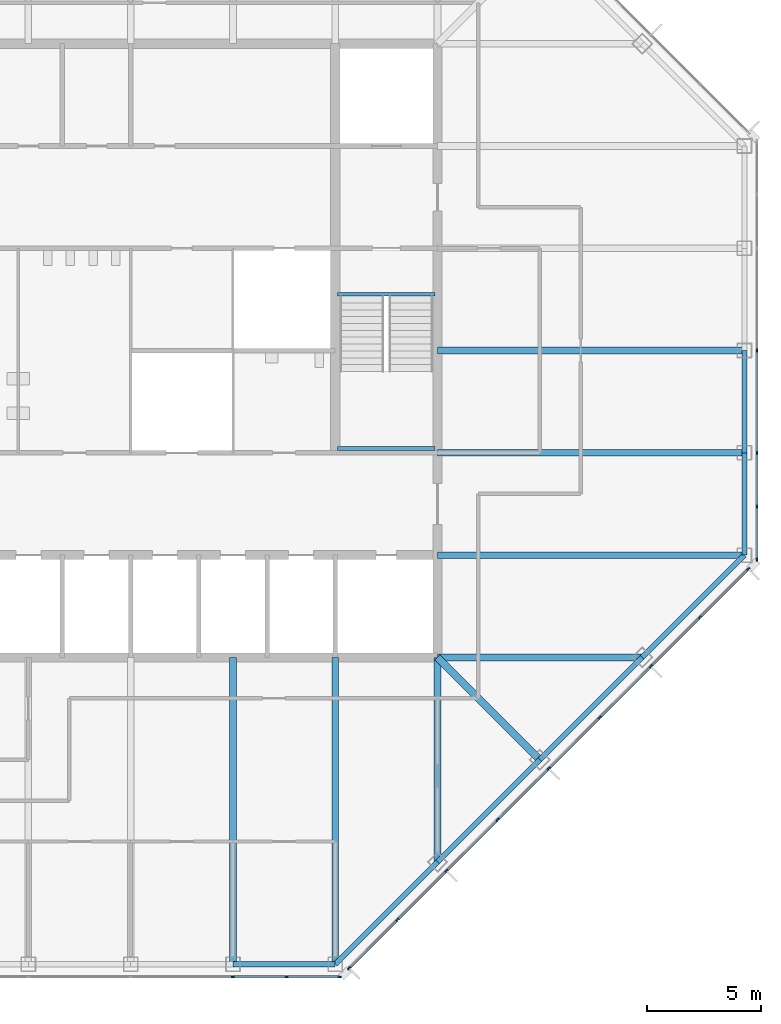
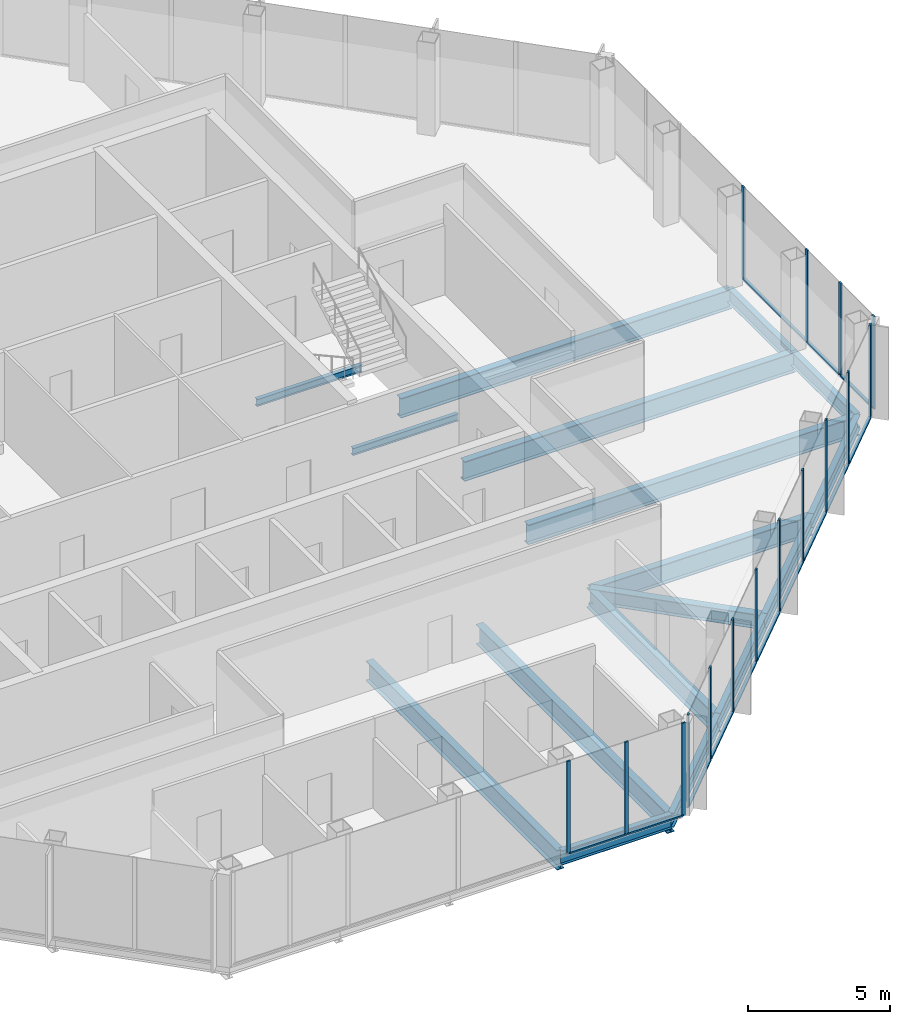
# One storey, part 4 of 13: 29 members, 17 beams, 3 elements without a shape of their own.
"""IFC4 building model written with IfcOpenShell, lengths in metres."""

from ifc_helpers import new_model, si_unit, direction, frame, origin, origin_2d, place, context, subcontext, project, spatial, rectangle, i_section, extrude, material, material_profile, profile_set, type_object, element, aggregate, save


model = new_model("IFC4")

# Units and contexts
model_context = context("Model", 3, precision=1e-05, world=origin(), true_north=direction((0.0, 1.0)))
body_context = subcontext(model_context, "Body", "Model", "MODEL_VIEW")
ifc_project = project(units=[si_unit("LENGTHUNIT", "METRE"), si_unit("AREAUNIT", "SQUARE_METRE"), si_unit("VOLUMEUNIT", "CUBIC_METRE"), si_unit("PLANEANGLEUNIT", "RADIAN"), si_unit("MASSUNIT", "GRAM", prefix="KILO")], contexts=[model_context])

# Site, building, storey
site_placement = place(None, origin())
site = spatial("IfcSite", under=ifc_project, at=site_placement, CompositionType="ELEMENT")
building_placement = place(site_placement, origin())
building = spatial("IfcBuilding", under=site, at=building_placement, Name="Corais Broadcast Tower", CompositionType="ELEMENT")
storey_placement = place(building_placement, frame((0.0, 0.0, 226.60009765625)))
storey = spatial("IfcBuildingStorey", under=building, at=storey_placement, Name="L52", CompositionType="ELEMENT", Elevation=226.60009765625)

# Beams
ifc_material_1 = material(Name="Steel ASTM A572 Grade 50", Category="steel")
ifc_material_profile_1 = material_profile(ifc_material_1, i_section(OverallWidth=0.323974609375, OverallDepth=0.611083984375, WebThickness=0.0126953125, FlangeThickness=0.01904296875, at=origin_2d()), Name="W610x155")
ifc_profile_set_1 = profile_set([ifc_material_profile_1], Name="Steel ASTM A572 Grade 50")
beam_type_1 = type_object("IfcBeamType", Name="Corner diagonal W610x155", PredefinedType="BEAM", material=ifc_profile_set_1)
beam_1_placement = place(storey_placement, frame((45.0, 9.0, -0.465576171875), z_axis=(-0.707106781187, 0.707106781187, 0.0), x_axis=(-0.707106781187, -0.707106781187, 0.0)))
element("IfcBeam", 1, at=beam_1_placement, inside=storey, type_object=beam_type_1, Name="B6 C/13 to D/12", PredefinedType="BEAM", context=body_context, shape_type="SweptSolid", body=[
    extrude(i_section(OverallWidth=0.323974609375, OverallDepth=0.611083984375, WebThickness=0.0126953125, FlangeThickness=0.01904296875, at=origin_2d()), origin(), (0.0, 0.0, 1.0), 6.364013671875),
])
ifc_material_2 = material(Name="Steel ASTM A572 Grade 50", Category="steel")
ifc_material_profile_2 = material_profile(ifc_material_2, i_section(OverallWidth=0.2939453125, OverallDepth=0.85107421875, WebThickness=0.01611328125, FlangeThickness=0.02685546875, at=origin_2d()), Name="W840x226")
ifc_profile_set_2 = profile_set([ifc_material_profile_2], Name="Steel ASTM A572 Grade 50")
beam_type_2 = type_object("IfcBeamType", Name="Floor beam W840x226", PredefinedType="BEAM", material=ifc_profile_set_2)
for number, where, z_axis, x_axis, name in (
    (2, (31.5, 0.0, -0.585693359375), (0.0, 1.0, 0.0), (-1.0, 0.0, 0.0), "B1 A/10 to D/10"),
    (3, (36.0, 0.0, -0.585693359375), (0.0, 1.0, 0.0), (-1.0, 0.0, 0.0), "B1 A/11 to D/11"),
):
    element("IfcBeam", number, at=place(storey_placement, frame(where, z_axis=z_axis, x_axis=x_axis)), inside=storey, type_object=beam_type_2, Name=name, PredefinedType="BEAM", context=body_context, shape_type="SweptSolid", body=[
        extrude(i_section(OverallWidth=0.2939453125, OverallDepth=0.85107421875, WebThickness=0.01611328125, FlangeThickness=0.02685546875, at=origin_2d()), origin(), (0.0, 0.0, 1.0), 13.5),
    ])
for number, where, z_axis, x_axis, name in (
    (4, (40.5, 4.5, -0.585693359375), (0.0, 1.0, 0.0), (-1.0, 0.0, 0.0), "B1 B/12 to D/12"),
    (5, (49.5, 13.5, -0.585693359375), (-1.0, 0.0, 0.0), (0.0, -1.0, 0.0), "B1 D/14 to D/12"),
):
    element("IfcBeam", number, at=place(storey_placement, frame(where, z_axis=z_axis, x_axis=x_axis)), inside=storey, type_object=beam_type_2, Name=name, PredefinedType="BEAM", context=body_context, shape_type="SweptSolid", body=[
        extrude(i_section(OverallWidth=0.2939453125, OverallDepth=0.85107421875, WebThickness=0.01611328125, FlangeThickness=0.02685546875, at=origin_2d()), origin(), (0.0, 0.0, 1.0), 9.0),
    ])
for number, where, z_axis, x_axis, name in (
    (6, (54.0, 18.0, -0.585693359375), (-1.0, 0.0, 0.0), (0.0, -1.0, 0.0), "B1 E/15 to E/12"),
    (7, (54.0, 22.5, -0.585693359375), (-1.0, 0.0, 0.0), (0.0, -1.0, 0.0), "B1 F/15 to F/12"),
    (8, (54.0, 27.0, -0.585693359375), (-1.0, 0.0, 0.0), (0.0, -1.0, 0.0), "B1 G/15 to G/12"),
):
    element("IfcBeam", number, at=place(storey_placement, frame(where, z_axis=z_axis, x_axis=x_axis)), inside=storey, type_object=beam_type_2, Name=name, PredefinedType="BEAM", context=body_context, shape_type="SweptSolid", body=[
        extrude(i_section(OverallWidth=0.2939453125, OverallDepth=0.85107421875, WebThickness=0.01611328125, FlangeThickness=0.02685546875, at=origin_2d()), origin(), (0.0, 0.0, 1.0), 13.5),
    ])
ifc_material_3 = material(Name="Steel ASTM A572 Grade 50", Category="steel")
ifc_material_profile_3 = material_profile(ifc_material_3, i_section(OverallWidth=0.1650390625, OverallDepth=0.31005859375, WebThickness=0.005859375, FlangeThickness=0.009765625, at=origin_2d()), Name="W310x38.7")
ifc_profile_set_3 = profile_set([ifc_material_profile_3], Name="Steel ASTM A572 Grade 50")
beam_type_3 = type_object("IfcBeamType", Name="Landing trimmer W310x38.7", PredefinedType="BEAM", material=ifc_profile_set_3)
for number, where, z_axis, x_axis, name in (
    (9, (36.10009765625, 29.47509765625, -0.35498046875), (1.0, 0.0, 0.0), (0.0, 1.0, 0.0), "LT1 stair B landing trimmer L52"),
    (10, (36.10009765625, 22.68994140625, 1.64501953125), (1.0, 0.0, 0.0), (0.0, 1.0, 0.0), "LT1 stair B half landing trimmer L52"),
):
    element("IfcBeam", number, at=place(storey_placement, frame(where, z_axis=z_axis, x_axis=x_axis)), inside=storey, type_object=beam_type_3, Name=name, PredefinedType="BEAM", context=body_context, shape_type="SweptSolid", body=[
        extrude(i_section(OverallWidth=0.1650390625, OverallDepth=0.31005859375, WebThickness=0.005859375, FlangeThickness=0.009765625, at=origin_2d()), origin(), (0.0, 0.0, 1.0), 4.2998046875),
    ])

# Curtain wall, members
ifc_material_4 = material(Name="Aluminium and glass", Category="aluminium")
curtain_wall_type = type_object("IfcCurtainWallType", Name="Unitised fritted curtain wall CW3", PredefinedType="NOTDEFINED", material=ifc_material_4)
curtain_wall_1_placement = place(storey_placement, origin())
curtain_wall_1 = element("IfcCurtainWall", 11, at=curtain_wall_1_placement, inside=storey, type_object=curtain_wall_type, Name="CW3 curtain wall L52 6", PredefinedType="NOTDEFINED")
ifc_material_5 = material(Name="Aluminium 6063-T6", Category="aluminium")
ifc_material_profile_4 = material_profile(ifc_material_5, rectangle(XDim=0.06494140625, YDim=0.159912109375, at=origin_2d()), Name="Mullion CW3 65x160")
ifc_profile_set_4 = profile_set([ifc_material_profile_4], Name="Aluminium 6063-T6")
member_type_1 = type_object("IfcMemberType", Name="Mullion CW3 65x160", PredefinedType="MULLION", material=ifc_profile_set_4)
member_1_placement = place(storey_placement, frame((54.550048828125, 27.0, 0.0), z_axis=(0.0, 0.0, 1.0), x_axis=(1.0, 0.0, 0.0)))
member_1 = element("IfcMember", 12, at=member_1_placement, type_object=member_type_1, Name="CW3 mullion 4", PredefinedType="MULLION", context=body_context, shape_type="SweptSolid", body=[
    extrude(rectangle(XDim=0.06494140625, YDim=0.159912109375, at=origin_2d()), origin(), (0.0, 0.0, 1.0), 4.0),
])
member_2_placement = place(storey_placement, frame((54.550048828125, 22.5, 0.0), z_axis=(0.0, 0.0, 1.0), x_axis=(1.0, 0.0, 0.0)))
member_2 = element("IfcMember", 13, at=member_2_placement, type_object=member_type_1, Name="CW3 mullion 5", PredefinedType="MULLION", context=body_context, shape_type="SweptSolid", body=[
    extrude(rectangle(XDim=0.06494140625, YDim=0.159912109375, at=origin_2d()), origin(), (0.0, 0.0, 1.0), 4.0),
])
member_3_placement = place(storey_placement, frame((54.550048828125, 20.135986328125, 0.0), z_axis=(0.0, 0.0, 1.0), x_axis=(1.0, 0.0, 0.0)))
member_3 = element("IfcMember", 14, at=member_3_placement, type_object=member_type_1, Name="CW3 mullion 6", PredefinedType="MULLION", context=body_context, shape_type="SweptSolid", body=[
    extrude(rectangle(XDim=0.06494140625, YDim=0.159912109375, at=origin_2d()), origin(), (0.0, 0.0, 1.0), 4.0),
])
member_4_placement = place(storey_placement, frame((54.550048828125, 17.8046875, 0.0), z_axis=(0.0, 0.0, 1.0), x_axis=(1.0, 0.0, 0.0)))
member_4 = element("IfcMember", 15, at=member_4_placement, type_object=member_type_1, Name="CW3 mullion 7", PredefinedType="MULLION", context=body_context, shape_type="SweptSolid", body=[
    extrude(rectangle(XDim=0.06494140625, YDim=0.159912109375, at=origin_2d()), origin(), (0.0, 0.0, 1.0), 4.0),
])

curtain_wall_2_placement = place(storey_placement, origin())
curtain_wall_2 = element("IfcCurtainWall", 16, at=curtain_wall_2_placement, inside=storey, type_object=curtain_wall_type, Name="CW3 curtain wall L52 7", PredefinedType="NOTDEFINED")
member_5_placement = place(storey_placement, frame((54.17333984375, 17.3955078125, 0.0), z_axis=(0.0, 0.0, 1.0), x_axis=(0.707106781187, -0.707106781187, 0.0)))
member_5 = element("IfcMember", 17, at=member_5_placement, type_object=member_type_1, Name="CW3 mullion 1", PredefinedType="MULLION", context=body_context, shape_type="SweptSolid", body=[
    extrude(rectangle(XDim=0.06494140625, YDim=0.159912109375, at=origin_2d()), origin(), (0.0, 0.0, 1.0), 4.0),
])
member_6_placement = place(storey_placement, frame((52.042724609375, 15.264892578125, 0.0), z_axis=(0.0, 0.0, 1.0), x_axis=(0.707106781187, -0.707106781187, 0.0)))
member_6 = element("IfcMember", 18, at=member_6_placement, type_object=member_type_1, Name="CW3 mullion 2", PredefinedType="MULLION", context=body_context, shape_type="SweptSolid", body=[
    extrude(rectangle(XDim=0.06494140625, YDim=0.159912109375, at=origin_2d()), origin(), (0.0, 0.0, 1.0), 4.0),
])
member_7_placement = place(storey_placement, frame((49.888916015625, 13.111083984375, 0.0), z_axis=(0.0, 0.0, 1.0), x_axis=(0.707106781187, -0.707106781187, 0.0)))
member_7 = element("IfcMember", 19, at=member_7_placement, type_object=member_type_1, Name="CW3 mullion 3", PredefinedType="MULLION", context=body_context, shape_type="SweptSolid", body=[
    extrude(rectangle(XDim=0.06494140625, YDim=0.159912109375, at=origin_2d()), origin(), (0.0, 0.0, 1.0), 4.0),
])
member_8_placement = place(storey_placement, frame((47.638916015625, 10.861083984375, 0.0), z_axis=(0.0, 0.0, 1.0), x_axis=(0.707106781187, -0.707106781187, 0.0)))
member_8 = element("IfcMember", 20, at=member_8_placement, type_object=member_type_1, Name="CW3 mullion 4", PredefinedType="MULLION", context=body_context, shape_type="SweptSolid", body=[
    extrude(rectangle(XDim=0.06494140625, YDim=0.159912109375, at=origin_2d()), origin(), (0.0, 0.0, 1.0), 4.0),
])
member_9_placement = place(storey_placement, frame((45.388916015625, 8.611083984375, 0.0), z_axis=(0.0, 0.0, 1.0), x_axis=(0.707106781187, -0.707106781187, 0.0)))
member_9 = element("IfcMember", 21, at=member_9_placement, type_object=member_type_1, Name="CW3 mullion 5", PredefinedType="MULLION", context=body_context, shape_type="SweptSolid", body=[
    extrude(rectangle(XDim=0.06494140625, YDim=0.159912109375, at=origin_2d()), origin(), (0.0, 0.0, 1.0), 4.0),
])
member_10_placement = place(storey_placement, frame((43.138916015625, 6.361083984375, 0.0), z_axis=(0.0, 0.0, 1.0), x_axis=(0.707106781187, -0.707106781187, 0.0)))
member_10 = element("IfcMember", 22, at=member_10_placement, type_object=member_type_1, Name="CW3 mullion 6", PredefinedType="MULLION", context=body_context, shape_type="SweptSolid", body=[
    extrude(rectangle(XDim=0.06494140625, YDim=0.159912109375, at=origin_2d()), origin(), (0.0, 0.0, 1.0), 4.0),
])
member_11_placement = place(storey_placement, frame((40.888916015625, 4.111083984375, 0.0), z_axis=(0.0, 0.0, 1.0), x_axis=(0.707106781187, -0.707106781187, 0.0)))
member_11 = element("IfcMember", 23, at=member_11_placement, type_object=member_type_1, Name="CW3 mullion 7", PredefinedType="MULLION", context=body_context, shape_type="SweptSolid", body=[
    extrude(rectangle(XDim=0.06494140625, YDim=0.159912109375, at=origin_2d()), origin(), (0.0, 0.0, 1.0), 4.0),
])
member_12_placement = place(storey_placement, frame((38.735107421875, 1.957275390625, 0.0), z_axis=(0.0, 0.0, 1.0), x_axis=(0.707106781187, -0.707106781187, 0.0)))
member_12 = element("IfcMember", 24, at=member_12_placement, type_object=member_type_1, Name="CW3 mullion 8", PredefinedType="MULLION", context=body_context, shape_type="SweptSolid", body=[
    extrude(rectangle(XDim=0.06494140625, YDim=0.159912109375, at=origin_2d()), origin(), (0.0, 0.0, 1.0), 4.0),
])
member_13_placement = place(storey_placement, frame((36.6044921875, -0.17333984375, 0.0), z_axis=(0.0, 0.0, 1.0), x_axis=(0.707106781187, -0.707106781187, 0.0)))
member_13 = element("IfcMember", 25, at=member_13_placement, type_object=member_type_1, Name="CW3 mullion 9", PredefinedType="MULLION", context=body_context, shape_type="SweptSolid", body=[
    extrude(rectangle(XDim=0.06494140625, YDim=0.159912109375, at=origin_2d()), origin(), (0.0, 0.0, 1.0), 4.0),
])

curtain_wall_3_placement = place(storey_placement, origin())
curtain_wall_3 = element("IfcCurtainWall", 26, at=curtain_wall_3_placement, inside=storey, type_object=curtain_wall_type, Name="CW3 curtain wall L52 8", PredefinedType="NOTDEFINED")
member_14_placement = place(storey_placement, frame((36.1953125, -0.550048828125, 0.0), z_axis=(0.0, 0.0, 1.0), x_axis=(0.0, -1.0, 0.0)))
member_14 = element("IfcMember", 27, at=member_14_placement, type_object=member_type_1, Name="CW3 mullion 1", PredefinedType="MULLION", context=body_context, shape_type="SweptSolid", body=[
    extrude(rectangle(XDim=0.06494140625, YDim=0.159912109375, at=origin_2d()), origin(), (0.0, 0.0, 1.0), 4.0),
])
member_15_placement = place(storey_placement, frame((33.864013671875, -0.550048828125, 0.0), z_axis=(0.0, 0.0, 1.0), x_axis=(0.0, -1.0, 0.0)))
member_15 = element("IfcMember", 28, at=member_15_placement, type_object=member_type_1, Name="CW3 mullion 2", PredefinedType="MULLION", context=body_context, shape_type="SweptSolid", body=[
    extrude(rectangle(XDim=0.06494140625, YDim=0.159912109375, at=origin_2d()), origin(), (0.0, 0.0, 1.0), 4.0),
])
member_16_placement = place(storey_placement, frame((31.5, -0.550048828125, 0.0), z_axis=(0.0, 0.0, 1.0), x_axis=(0.0, -1.0, 0.0)))
member_16 = element("IfcMember", 29, at=member_16_placement, type_object=member_type_1, Name="CW3 mullion 3", PredefinedType="MULLION", context=body_context, shape_type="SweptSolid", body=[
    extrude(rectangle(XDim=0.06494140625, YDim=0.159912109375, at=origin_2d()), origin(), (0.0, 0.0, 1.0), 4.0),
])

# Beams
ifc_material_6 = material(Name="Steel ASTM A572 Grade 50", Category="steel")
ifc_material_profile_5 = material_profile(ifc_material_6, i_section(OverallWidth=0.22998046875, OverallDepth=0.616943359375, WebThickness=0.01318359375, FlangeThickness=0.022216796875, at=origin_2d()), Name="W610x140")
ifc_profile_set_5 = profile_set([ifc_material_profile_5], Name="Steel ASTM A572 Grade 50")
beam_type_4 = type_object("IfcBeamType", Name="Spandrel W610x140", PredefinedType="BEAM", material=ifc_profile_set_5)
beam_2_placement = place(storey_placement, frame((31.5, 0.0, -0.468505859375), z_axis=(1.0, 0.0, 0.0), x_axis=(0.0, 1.0, 0.0)))
element("IfcBeam", 30, at=beam_2_placement, inside=storey, type_object=beam_type_4, Name="SB3 A/10 to A/11", PredefinedType="BEAM", context=body_context, shape_type="SweptSolid", body=[
    extrude(i_section(OverallWidth=0.22998046875, OverallDepth=0.616943359375, WebThickness=0.01318359375, FlangeThickness=0.022216796875, at=origin_2d()), origin(), (0.0, 0.0, 1.0), 4.5),
])
for number, where, z_axis, x_axis, name in (
    (31, (36.0, 0.0, -0.468505859375), (0.707106781187, 0.707106781187, 0.0), (-0.707106781187, 0.707106781187, 0.0), "SB3 A/11 to B/12"),
    (32, (40.5, 4.5, -0.468505859375), (0.707106781187, 0.707106781187, 0.0), (-0.707106781187, 0.707106781187, 0.0), "SB3 B/12 to C/13"),
    (33, (45.0, 9.0, -0.468505859375), (0.707106781187, 0.707106781187, 0.0), (-0.707106781187, 0.707106781187, 0.0), "SB3 C/13 to D/14"),
    (34, (49.5, 13.5, -0.468505859375), (0.707106781187, 0.707106781187, 0.0), (-0.707106781187, 0.707106781187, 0.0), "SB3 D/14 to E/15"),
):
    element("IfcBeam", number, at=place(storey_placement, frame(where, z_axis=z_axis, x_axis=x_axis)), inside=storey, type_object=beam_type_4, Name=name, PredefinedType="BEAM", context=body_context, shape_type="SweptSolid", body=[
        extrude(i_section(OverallWidth=0.22998046875, OverallDepth=0.616943359375, WebThickness=0.01318359375, FlangeThickness=0.022216796875, at=origin_2d()), origin(), (0.0, 0.0, 1.0), 6.364013671875),
    ])
for number, where, z_axis, x_axis, name in (
    (35, (54.0, 18.0, -0.468505859375), (0.0, 1.0, 0.0), (-1.0, 0.0, 0.0), "SB3 E/15 to F/15"),
    (36, (54.0, 22.5, -0.468505859375), (0.0, 1.0, 0.0), (-1.0, 0.0, 0.0), "SB3 F/15 to G/15"),
):
    element("IfcBeam", number, at=place(storey_placement, frame(where, z_axis=z_axis, x_axis=x_axis)), inside=storey, type_object=beam_type_4, Name=name, PredefinedType="BEAM", context=body_context, shape_type="SweptSolid", body=[
        extrude(i_section(OverallWidth=0.22998046875, OverallDepth=0.616943359375, WebThickness=0.01318359375, FlangeThickness=0.022216796875, at=origin_2d()), origin(), (0.0, 0.0, 1.0), 4.5),
    ])

# Member
ifc_material_7 = material(Name="Aluminium 6063-T6", Category="aluminium")
ifc_material_profile_6 = material_profile(ifc_material_7, rectangle(XDim=0.1201171875, YDim=0.06494140625, at=origin_2d()), Name="Transom CW3 65x120")
ifc_profile_set_6 = profile_set([ifc_material_profile_6], Name="Aluminium 6063-T6")
member_type_2 = type_object("IfcMemberType", Name="Transom CW3 65x120", PredefinedType="USERDEFINED", material=ifc_profile_set_6)
member_17_placement = place(storey_placement, frame((54.550048828125, 26.967529296875, 0.032470703125), z_axis=(0.0, -1.0, 0.0), x_axis=(1.0, 0.0, 0.0)))
member_17 = element("IfcMember", 37, at=member_17_placement, type_object=member_type_2, Name="CW3 transom 4.1", ObjectType="TRANSOM", PredefinedType="USERDEFINED", context=body_context, shape_type="SweptSolid", body=[
    extrude(rectangle(XDim=0.1201171875, YDim=0.06494140625, at=origin_2d()), origin(), (0.0, 0.0, 1.0), 4.43505859375),
])

member_18_placement = place(storey_placement, frame((54.550048828125, 22.467529296875, 0.032470703125), z_axis=(0.0, -1.0, 0.0), x_axis=(1.0, 0.0, 0.0)))
member_18 = element("IfcMember", 38, at=member_18_placement, type_object=member_type_2, Name="CW3 transom 5.1", ObjectType="TRANSOM", PredefinedType="USERDEFINED", context=body_context, shape_type="SweptSolid", body=[
    extrude(rectangle(XDim=0.1201171875, YDim=0.06494140625, at=origin_2d()), origin(), (0.0, 0.0, 1.0), 2.298828125),
])

member_19_placement = place(storey_placement, frame((54.550048828125, 20.103515625, 0.032470703125), z_axis=(0.0, -1.0, 0.0), x_axis=(1.0, 0.0, 0.0)))
member_19 = element("IfcMember", 39, at=member_19_placement, type_object=member_type_2, Name="CW3 transom 6.1", ObjectType="TRANSOM", PredefinedType="USERDEFINED", context=body_context, shape_type="SweptSolid", body=[
    extrude(rectangle(XDim=0.1201171875, YDim=0.06494140625, at=origin_2d()), origin(), (0.0, 0.0, 1.0), 2.266357421875),
])

aggregate(curtain_wall_1, [member_1, member_2, member_3, member_4, member_17, member_18, member_19])

member_20_placement = place(storey_placement, frame((54.150390625, 17.37255859375, 0.032470703125), z_axis=(-0.707106781187, -0.707106781187, 0.0), x_axis=(0.707106781187, -0.707106781187, 0.0)))
member_20 = element("IfcMember", 40, at=member_20_placement, type_object=member_type_2, Name="CW3 transom 1.1", ObjectType="TRANSOM", PredefinedType="USERDEFINED", context=body_context, shape_type="SweptSolid", body=[
    extrude(rectangle(XDim=0.1201171875, YDim=0.06494140625, at=origin_2d()), origin(), (0.0, 0.0, 1.0), 2.9482421875),
])

member_21_placement = place(storey_placement, frame((52.019775390625, 15.241943359375, 0.032470703125), z_axis=(-0.707106781187, -0.707106781187, 0.0), x_axis=(0.707106781187, -0.707106781187, 0.0)))
member_21 = element("IfcMember", 41, at=member_21_placement, type_object=member_type_2, Name="CW3 transom 2.1", ObjectType="TRANSOM", PredefinedType="USERDEFINED", context=body_context, shape_type="SweptSolid", body=[
    extrude(rectangle(XDim=0.1201171875, YDim=0.06494140625, at=origin_2d()), origin(), (0.0, 0.0, 1.0), 2.98095703125),
])

member_22_placement = place(storey_placement, frame((49.865966796875, 13.088134765625, 0.032470703125), z_axis=(-0.707106781187, -0.707106781187, 0.0), x_axis=(0.707106781187, -0.707106781187, 0.0)))
member_22 = element("IfcMember", 42, at=member_22_placement, type_object=member_type_2, Name="CW3 transom 3.1", ObjectType="TRANSOM", PredefinedType="USERDEFINED", context=body_context, shape_type="SweptSolid", body=[
    extrude(rectangle(XDim=0.1201171875, YDim=0.06494140625, at=origin_2d()), origin(), (0.0, 0.0, 1.0), 3.1171875),
])

member_23_placement = place(storey_placement, frame((47.615966796875, 10.838134765625, 0.032470703125), z_axis=(-0.707106781187, -0.707106781187, 0.0), x_axis=(0.707106781187, -0.707106781187, 0.0)))
member_23 = element("IfcMember", 43, at=member_23_placement, type_object=member_type_2, Name="CW3 transom 4.1", ObjectType="TRANSOM", PredefinedType="USERDEFINED", context=body_context, shape_type="SweptSolid", body=[
    extrude(rectangle(XDim=0.1201171875, YDim=0.06494140625, at=origin_2d()), origin(), (0.0, 0.0, 1.0), 3.1171875),
])

member_24_placement = place(storey_placement, frame((45.365966796875, 8.588134765625, 0.032470703125), z_axis=(-0.707106781187, -0.707106781187, 0.0), x_axis=(0.707106781187, -0.707106781187, 0.0)))
member_24 = element("IfcMember", 44, at=member_24_placement, type_object=member_type_2, Name="CW3 transom 5.1", ObjectType="TRANSOM", PredefinedType="USERDEFINED", context=body_context, shape_type="SweptSolid", body=[
    extrude(rectangle(XDim=0.1201171875, YDim=0.06494140625, at=origin_2d()), origin(), (0.0, 0.0, 1.0), 3.1171875),
])

member_25_placement = place(storey_placement, frame((43.115966796875, 6.338134765625, 0.032470703125), z_axis=(-0.707106781187, -0.707106781187, 0.0), x_axis=(0.707106781187, -0.707106781187, 0.0)))
member_25 = element("IfcMember", 45, at=member_25_placement, type_object=member_type_2, Name="CW3 transom 6.1", ObjectType="TRANSOM", PredefinedType="USERDEFINED", context=body_context, shape_type="SweptSolid", body=[
    extrude(rectangle(XDim=0.1201171875, YDim=0.06494140625, at=origin_2d()), origin(), (0.0, 0.0, 1.0), 3.1171875),
])

member_26_placement = place(storey_placement, frame((40.865966796875, 4.088134765625, 0.032470703125), z_axis=(-0.70714773134, -0.707065828661, 0.0), x_axis=(0.707065828661, -0.70714773134, 0.0)))
member_26 = element("IfcMember", 46, at=member_26_placement, type_object=member_type_2, Name="CW3 transom 7.1", ObjectType="TRANSOM", PredefinedType="USERDEFINED", context=body_context, shape_type="SweptSolid", body=[
    extrude(rectangle(XDim=0.1201171875, YDim=0.06494140625, at=origin_2d()), origin(), (0.0, 0.0, 1.0), 2.98095703125),
])

member_27_placement = place(storey_placement, frame((38.712158203125, 1.934326171875, 0.032470703125), z_axis=(-0.707106781187, -0.707106781187, 0.0), x_axis=(0.707106781187, -0.707106781187, 0.0)))
member_27 = element("IfcMember", 47, at=member_27_placement, type_object=member_type_2, Name="CW3 transom 8.1", ObjectType="TRANSOM", PredefinedType="USERDEFINED", context=body_context, shape_type="SweptSolid", body=[
    extrude(rectangle(XDim=0.1201171875, YDim=0.06494140625, at=origin_2d()), origin(), (0.0, 0.0, 1.0), 2.9482421875),
])

aggregate(curtain_wall_2, [member_5, member_6, member_7, member_8, member_9, member_10, member_11, member_12, member_13, member_20, member_21, member_22, member_23, member_24, member_25, member_26, member_27])

member_28_placement = place(storey_placement, frame((36.162841796875, -0.550048828125, 0.032470703125), z_axis=(-1.0, 0.0, 0.0), x_axis=(0.0, -1.0, 0.0)))
member_28 = element("IfcMember", 48, at=member_28_placement, type_object=member_type_2, Name="CW3 transom 1.1", ObjectType="TRANSOM", PredefinedType="USERDEFINED", context=body_context, shape_type="SweptSolid", body=[
    extrude(rectangle(XDim=0.1201171875, YDim=0.06494140625, at=origin_2d()), origin(), (0.0, 0.0, 1.0), 2.266357421875),
])

member_29_placement = place(storey_placement, frame((33.831298828125, -0.550048828125, 0.032470703125), z_axis=(-1.0, 0.0, 0.0), x_axis=(0.0, -1.0, 0.0)))
member_29 = element("IfcMember", 49, at=member_29_placement, type_object=member_type_2, Name="CW3 transom 2.1", ObjectType="TRANSOM", PredefinedType="USERDEFINED", context=body_context, shape_type="SweptSolid", body=[
    extrude(rectangle(XDim=0.1201171875, YDim=0.06494140625, at=origin_2d()), origin(), (0.0, 0.0, 1.0), 2.298828125),
])

aggregate(curtain_wall_3, [member_14, member_15, member_16, member_28, member_29])

save(model, "model.ifc")
